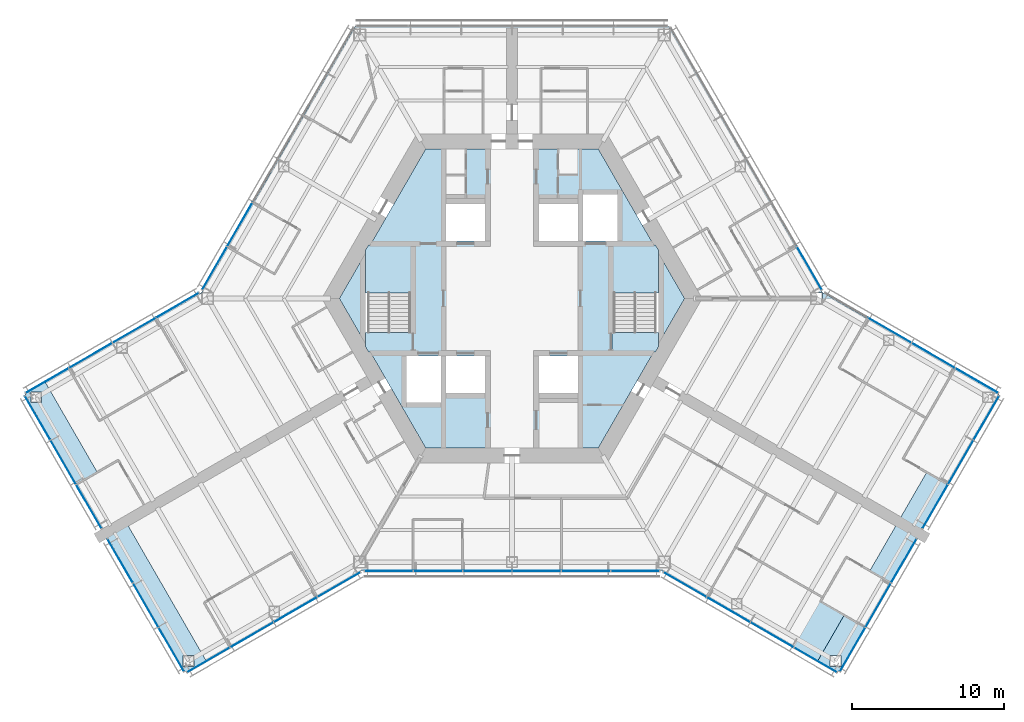
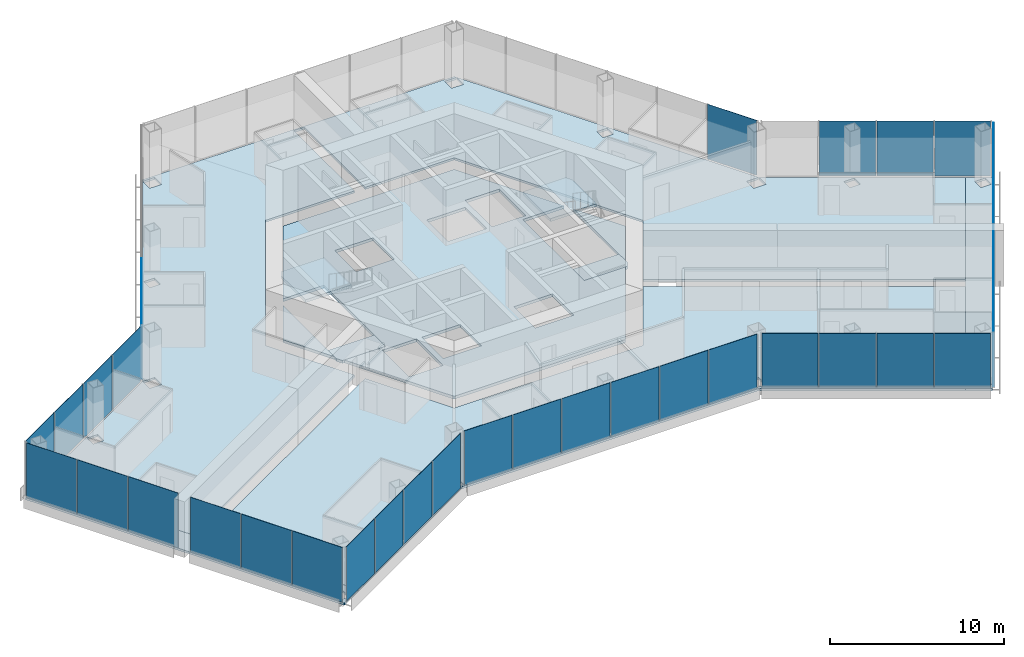
# One storey, part 10 of 18: 36 plates, 11 slabs, 13 elements without a shape of their own.
"""IFC4 building model written with IfcOpenShell, lengths in metres."""

from ifc_helpers import new_model, si_unit, direction, frame, origin, origin_2d, place, context, subcontext, project, spatial, polyline, rectangle, outline, extrude, material, layer, layer_set, type_object, element, aggregate, save


model = new_model("IFC4")

# Units and contexts
model_context = context("Model", 3, precision=1e-05, world=origin(), true_north=direction((0.0, 1.0)))
body_context = subcontext(model_context, "Body", "Model", "MODEL_VIEW")
ifc_project = project(units=[si_unit("LENGTHUNIT", "METRE"), si_unit("AREAUNIT", "SQUARE_METRE"), si_unit("VOLUMEUNIT", "CUBIC_METRE"), si_unit("PLANEANGLEUNIT", "RADIAN"), si_unit("MASSUNIT", "GRAM", prefix="KILO")], contexts=[model_context])

# Site, building, storey
site_placement = place(None, origin())
site = spatial("IfcSite", under=ifc_project, at=site_placement, CompositionType="ELEMENT")
building_placement = place(site_placement, origin())
building = spatial("IfcBuilding", under=site, at=building_placement, Name="Kasaneha Research Tower", CompositionType="ELEMENT")
storey_placement = place(building_placement, frame((0.0, 0.0, 176.0)))
storey = spatial("IfcBuildingStorey", under=building, at=storey_placement, Name="L44", CompositionType="ELEMENT", Elevation=176.0)

# Curtain wall, plates
ifc_material_1 = material(Name="Glass and aluminium", Category="aluminium")
curtain_wall_type = type_object("IfcCurtainWallType", Name="Mid-rise office curtain wall", PredefinedType="USERDEFINED", material=ifc_material_1)
curtain_wall_1_placement = place(storey_placement, origin())
curtain_wall_1 = element("IfcCurtainWall", 1, at=curtain_wall_1_placement, inside=storey, type_object=curtain_wall_type, Name="CW-O2 L44 run 01a", ObjectType="UNITISED CURTAIN WALL", PredefinedType="USERDEFINED")
ifc_material_2 = material(Name="Laminated double glazing", Category="glass")
ifc_layer_1 = layer(ifc_material_2, 0.02587890625)
ifc_layer_set_1 = layer_set([ifc_layer_1], Name="CW-O2 glazed panel")
plate_type = type_object("IfcPlateType", Name="CW-O2 glazed panel", PredefinedType="CURTAIN_PANEL", material=ifc_layer_set_1)
plate_1_placement = place(storey_placement, frame((-8.10107421875, -17.92041015625, 0.06005859375), z_axis=(0.0, 0.0, 1.0), x_axis=(1.0, 0.0, 0.0)))
plate_1 = element("IfcPlate", 2, at=plate_1_placement, type_object=plate_type, Name="CW-O2 panel 1", PredefinedType="CURTAIN_PANEL", context=body_context, shape_type="SweptSolid", body=[
    extrude(rectangle(XDim=3.156494140625, YDim=0.02587890625, at=origin_2d()), origin(), (0.0, 0.0, 1.0), 3.840087890625),
])
plate_2_placement = place(storey_placement, frame((-4.86962890625, -17.92041015625, 0.06005859375), z_axis=(0.0, 0.0, 1.0), x_axis=(1.0, 0.0, 0.0)))
plate_2 = element("IfcPlate", 3, at=plate_2_placement, type_object=plate_type, Name="CW-O2 panel 2", PredefinedType="CURTAIN_PANEL", context=body_context, shape_type="SweptSolid", body=[
    extrude(rectangle(XDim=3.1865234375, YDim=0.02587890625, at=origin_2d()), origin(), (0.0, 0.0, 1.0), 3.840087890625),
])
plate_3_placement = place(storey_placement, frame((-1.623291015625, -17.92041015625, 0.06005859375), z_axis=(0.0, 0.0, 1.0), x_axis=(1.0, 0.0, 0.0)))
plate_3 = element("IfcPlate", 4, at=plate_3_placement, type_object=plate_type, Name="CW-O2 panel 3", PredefinedType="CURTAIN_PANEL", context=body_context, shape_type="SweptSolid", body=[
    extrude(rectangle(XDim=3.1865234375, YDim=0.02587890625, at=origin_2d()), origin(), (0.0, 0.0, 1.0), 3.840087890625),
])
plate_4_placement = place(storey_placement, frame((1.623291015625, -17.92041015625, 0.06005859375), z_axis=(0.0, 0.0, 1.0), x_axis=(1.0, 0.0, 0.0)))
plate_4 = element("IfcPlate", 5, at=plate_4_placement, type_object=plate_type, Name="CW-O2 panel 4", PredefinedType="CURTAIN_PANEL", context=body_context, shape_type="SweptSolid", body=[
    extrude(rectangle(XDim=3.1865234375, YDim=0.02587890625, at=origin_2d()), origin(), (0.0, 0.0, 1.0), 3.840087890625),
])
plate_5_placement = place(storey_placement, frame((4.86962890625, -17.92041015625, 0.06005859375), z_axis=(0.0, 0.0, 1.0), x_axis=(1.0, 0.0, 0.0)))
plate_5 = element("IfcPlate", 6, at=plate_5_placement, type_object=plate_type, Name="CW-O2 panel 5", PredefinedType="CURTAIN_PANEL", context=body_context, shape_type="SweptSolid", body=[
    extrude(rectangle(XDim=3.1865234375, YDim=0.02587890625, at=origin_2d()), origin(), (0.0, 0.0, 1.0), 3.840087890625),
])
plate_6_placement = place(storey_placement, frame((8.10107421875, -17.92041015625, 0.06005859375), z_axis=(0.0, 0.0, 1.0), x_axis=(1.0, 0.0, 0.0)))
plate_6 = element("IfcPlate", 7, at=plate_6_placement, type_object=plate_type, Name="CW-O2 panel 6", PredefinedType="CURTAIN_PANEL", context=body_context, shape_type="SweptSolid", body=[
    extrude(rectangle(XDim=3.156494140625, YDim=0.02587890625, at=origin_2d()), origin(), (0.0, 0.0, 1.0), 3.840087890625),
])
aggregate(curtain_wall_1, [plate_1, plate_2, plate_3, plate_4, plate_5, plate_6])

curtain_wall_2_placement = place(storey_placement, origin())
curtain_wall_2 = element("IfcCurtainWall", 8, at=curtain_wall_2_placement, inside=storey, type_object=curtain_wall_type, Name="CW-O2 L44 run 02a", ObjectType="UNITISED CURTAIN WALL", PredefinedType="USERDEFINED")
plate_7_placement = place(storey_placement, frame((11.3720703125, -18.805419921875, 0.06005859375), z_axis=(0.0, 0.0, 1.0), x_axis=(0.866025411464, -0.499999986699, 0.0)))
plate_7 = element("IfcPlate", 9, at=plate_7_placement, type_object=plate_type, Name="CW-O2 panel 1", PredefinedType="CURTAIN_PANEL", context=body_context, shape_type="SweptSolid", body=[
    extrude(rectangle(XDim=3.2197265625, YDim=0.02587890625, at=origin_2d()), origin(), (0.0, 0.0, 1.0), 3.840087890625),
])
plate_8_placement = place(storey_placement, frame((14.225341796875, -20.452880859375, 0.06005859375), z_axis=(0.0, 0.0, 1.0), x_axis=(0.866025411464, -0.499999986699, 0.0)))
plate_8 = element("IfcPlate", 10, at=plate_8_placement, type_object=plate_type, Name="CW-O2 panel 2", PredefinedType="CURTAIN_PANEL", context=body_context, shape_type="SweptSolid", body=[
    extrude(rectangle(XDim=3.249755859375, YDim=0.02587890625, at=origin_2d()), origin(), (0.0, 0.0, 1.0), 3.840087890625),
])
plate_9_placement = place(storey_placement, frame((17.091796875, -22.107666015625, 0.06005859375), z_axis=(0.0, 0.0, 1.0), x_axis=(0.866025411464, -0.499999986699, 0.0)))
plate_9 = element("IfcPlate", 11, at=plate_9_placement, type_object=plate_type, Name="CW-O2 panel 3", PredefinedType="CURTAIN_PANEL", context=body_context, shape_type="SweptSolid", body=[
    extrude(rectangle(XDim=3.249755859375, YDim=0.02587890625, at=origin_2d()), origin(), (0.0, 0.0, 1.0), 3.840087890625),
])
plate_10_placement = place(storey_placement, frame((19.945068359375, -23.755126953125, 0.06005859375), z_axis=(0.0, 0.0, 1.0), x_axis=(0.866025411464, -0.499999986699, 0.0)))
plate_10 = element("IfcPlate", 12, at=plate_10_placement, type_object=plate_type, Name="CW-O2 panel 4", PredefinedType="CURTAIN_PANEL", context=body_context, shape_type="SweptSolid", body=[
    extrude(rectangle(XDim=3.2197265625, YDim=0.02587890625, at=origin_2d()), origin(), (0.0, 0.0, 1.0), 3.840087890625),
])
aggregate(curtain_wall_2, [plate_7, plate_8, plate_9, plate_10])

curtain_wall_3_placement = place(storey_placement, origin())
curtain_wall_3 = element("IfcCurtainWall", 13, at=curtain_wall_3_placement, inside=storey, type_object=curtain_wall_type, Name="CW-O2 L44 run 03a", ObjectType="UNITISED CURTAIN WALL", PredefinedType="USERDEFINED")
plate_11_placement = place(storey_placement, frame((22.38134765625, -23.075439453125, 0.06005859375), z_axis=(0.0, 0.0, 1.0), x_axis=(0.500000011442, 0.866025397178, 0.0)))
plate_11 = element("IfcPlate", 14, at=plate_11_placement, type_object=plate_type, Name="CW-O2 panel 1", PredefinedType="CURTAIN_PANEL", context=body_context, shape_type="SweptSolid", body=[
    extrude(rectangle(XDim=3.293212890625, YDim=0.02587890625, at=origin_2d()), origin(), (0.0, 0.0, 1.0), 3.840087890625),
])
plate_12_placement = place(storey_placement, frame((24.0654296875, -20.158447265625, 0.06005859375), z_axis=(0.0, 0.0, 1.0), x_axis=(0.500000011442, 0.866025397178, 0.0)))
plate_12 = element("IfcPlate", 15, at=plate_12_placement, type_object=plate_type, Name="CW-O2 panel 2", PredefinedType="CURTAIN_PANEL", context=body_context, shape_type="SweptSolid", body=[
    extrude(rectangle(XDim=3.3232421875, YDim=0.02587890625, at=origin_2d()), origin(), (0.0, 0.0, 1.0), 3.840087890625),
])
plate_13_placement = place(storey_placement, frame((25.74951171875, -17.241455078125, 0.06005859375), z_axis=(0.0, 0.0, 1.0), x_axis=(0.500000011442, 0.866025397178, 0.0)))
plate_13 = element("IfcPlate", 16, at=plate_13_placement, type_object=plate_type, Name="CW-O2 panel 3", PredefinedType="CURTAIN_PANEL", context=body_context, shape_type="SweptSolid", body=[
    extrude(rectangle(XDim=3.293212890625, YDim=0.02587890625, at=origin_2d()), origin(), (0.0, 0.0, 1.0), 3.840087890625),
])
aggregate(curtain_wall_3, [plate_11, plate_12, plate_13])

curtain_wall_4_placement = place(storey_placement, origin())
curtain_wall_4 = element("IfcCurtainWall", 17, at=curtain_wall_4_placement, inside=storey, type_object=curtain_wall_type, Name="CW-O2 L44 run 04a", ObjectType="UNITISED CURTAIN WALL", PredefinedType="USERDEFINED")
plate_14_placement = place(storey_placement, frame((27.806396484375, -13.67919921875, 0.06005859375), z_axis=(0.0, 0.0, 1.0), x_axis=(0.500000011442, 0.866025397178, 0.0)))
plate_14 = element("IfcPlate", 18, at=plate_14_placement, type_object=plate_type, Name="CW-O2 panel 1", PredefinedType="CURTAIN_PANEL", context=body_context, shape_type="SweptSolid", body=[
    extrude(rectangle(XDim=3.293212890625, YDim=0.02587890625, at=origin_2d()), origin(), (0.0, 0.0, 1.0), 3.840087890625),
])
plate_15_placement = place(storey_placement, frame((29.490478515625, -10.761962890625, 0.06005859375), z_axis=(0.0, 0.0, 1.0), x_axis=(0.500000011442, 0.866025397178, 0.0)))
plate_15 = element("IfcPlate", 19, at=plate_15_placement, type_object=plate_type, Name="CW-O2 panel 2", PredefinedType="CURTAIN_PANEL", context=body_context, shape_type="SweptSolid", body=[
    extrude(rectangle(XDim=3.3232421875, YDim=0.02587890625, at=origin_2d()), origin(), (0.0, 0.0, 1.0), 3.840087890625),
])
plate_16_placement = place(storey_placement, frame((31.174560546875, -7.844970703125, 0.06005859375), z_axis=(0.0, 0.0, 1.0), x_axis=(0.500000011442, 0.866025397178, 0.0)))
plate_16 = element("IfcPlate", 20, at=plate_16_placement, type_object=plate_type, Name="CW-O2 panel 3", PredefinedType="CURTAIN_PANEL", context=body_context, shape_type="SweptSolid", body=[
    extrude(rectangle(XDim=3.293212890625, YDim=0.02587890625, at=origin_2d()), origin(), (0.0, 0.0, 1.0), 3.840087890625),
])
aggregate(curtain_wall_4, [plate_14, plate_15, plate_16])

curtain_wall_5_placement = place(storey_placement, origin())
curtain_wall_5 = element("IfcCurtainWall", 21, at=curtain_wall_5_placement, inside=storey, type_object=curtain_wall_type, Name="CW-O2 L44 run 05a", ObjectType="UNITISED CURTAIN WALL", PredefinedType="USERDEFINED")
plate_17_placement = place(storey_placement, frame((30.545166015625, -5.3955078125, 0.06005859375), z_axis=(0.0, 0.0, 1.0), x_axis=(-0.866025411464, 0.499999986699, 0.0)))
plate_17 = element("IfcPlate", 22, at=plate_17_placement, type_object=plate_type, Name="CW-O2 panel 1", PredefinedType="CURTAIN_PANEL", context=body_context, shape_type="SweptSolid", body=[
    extrude(rectangle(XDim=3.2197265625, YDim=0.02587890625, at=origin_2d()), origin(), (0.0, 0.0, 1.0), 3.840087890625),
])
plate_18_placement = place(storey_placement, frame((27.69189453125, -3.748046875, 0.06005859375), z_axis=(0.0, 0.0, 1.0), x_axis=(-0.866025411464, 0.499999986699, 0.0)))
plate_18 = element("IfcPlate", 23, at=plate_18_placement, type_object=plate_type, Name="CW-O2 panel 2", PredefinedType="CURTAIN_PANEL", context=body_context, shape_type="SweptSolid", body=[
    extrude(rectangle(XDim=3.249755859375, YDim=0.02587890625, at=origin_2d()), origin(), (0.0, 0.0, 1.0), 3.840087890625),
])
plate_19_placement = place(storey_placement, frame((24.825439453125, -2.093017578125, 0.06005859375), z_axis=(0.0, 0.0, 1.0), x_axis=(-0.866025411464, 0.499999986699, 0.0)))
plate_19 = element("IfcPlate", 24, at=plate_19_placement, type_object=plate_type, Name="CW-O2 panel 3", PredefinedType="CURTAIN_PANEL", context=body_context, shape_type="SweptSolid", body=[
    extrude(rectangle(XDim=3.249755859375, YDim=0.02587890625, at=origin_2d()), origin(), (0.0, 0.0, 1.0), 3.840087890625),
])
aggregate(curtain_wall_5, [plate_17, plate_18, plate_19])

# Curtain wall, plate
curtain_wall_6_placement = place(storey_placement, origin())
curtain_wall_6 = element("IfcCurtainWall", 25, at=curtain_wall_6_placement, inside=storey, type_object=curtain_wall_type, Name="CW-O2 L44 run 06a", ObjectType="UNITISED CURTAIN WALL", PredefinedType="USERDEFINED")
plate_20_placement = place(storey_placement, frame((19.549072265625, 1.981201171875, 0.06005859375), z_axis=(0.0, 0.0, 1.0), x_axis=(-0.499999979232, 0.866025415775, 0.0)))
plate_20 = element("IfcPlate", 26, at=plate_20_placement, type_object=plate_type, Name="CW-O2 panel 1", PredefinedType="CURTAIN_PANEL", context=body_context, shape_type="SweptSolid", body=[
    extrude(rectangle(XDim=3.240966796875, YDim=0.02587890625, at=origin_2d()), origin(), (0.0, 0.0, 1.0), 3.840087890625),
])
aggregate(curtain_wall_6, [plate_20])

# Curtain wall, plates
curtain_wall_7_placement = place(storey_placement, origin())
curtain_wall_7 = element("IfcCurtainWall", 27, at=curtain_wall_7_placement, inside=storey, type_object=curtain_wall_type, Name="CW-O2 L44 run 08a", ObjectType="UNITISED CURTAIN WALL", PredefinedType="USERDEFINED")
plate_21_placement = place(storey_placement, frame((-17.89111328125, 4.852783203125, 0.06005859375), z_axis=(0.0, 0.0, 1.0), x_axis=(-0.499999979232, -0.866025415775, 0.0)))
plate_21 = element("IfcPlate", 28, at=plate_21_placement, type_object=plate_type, Name="CW-O2 panel 5", PredefinedType="CURTAIN_PANEL", context=body_context, shape_type="SweptSolid", body=[
    extrude(rectangle(XDim=3.27099609375, YDim=0.02587890625, at=origin_2d()), origin(), (0.0, 0.0, 1.0), 3.840087890625),
])
plate_22_placement = place(storey_placement, frame((-19.549072265625, 1.981201171875, 0.06005859375), z_axis=(0.0, 0.0, 1.0), x_axis=(-0.499999979232, -0.866025415775, 0.0)))
plate_22 = element("IfcPlate", 29, at=plate_22_placement, type_object=plate_type, Name="CW-O2 panel 6", PredefinedType="CURTAIN_PANEL", context=body_context, shape_type="SweptSolid", body=[
    extrude(rectangle(XDim=3.240966796875, YDim=0.02587890625, at=origin_2d()), origin(), (0.0, 0.0, 1.0), 3.840087890625),
])
aggregate(curtain_wall_7, [plate_21, plate_22])

curtain_wall_8_placement = place(storey_placement, origin())
curtain_wall_8 = element("IfcCurtainWall", 30, at=curtain_wall_8_placement, inside=storey, type_object=curtain_wall_type, Name="CW-O2 L44 run 09a", ObjectType="UNITISED CURTAIN WALL", PredefinedType="USERDEFINED")
plate_23_placement = place(storey_placement, frame((-21.971923828125, -0.44580078125, 0.06005859375), z_axis=(0.0, 0.0, 1.0), x_axis=(-0.866025411464, -0.499999986699, 0.0)))
plate_23 = element("IfcPlate", 31, at=plate_23_placement, type_object=plate_type, Name="CW-O2 panel 1", PredefinedType="CURTAIN_PANEL", context=body_context, shape_type="SweptSolid", body=[
    extrude(rectangle(XDim=3.2197265625, YDim=0.02587890625, at=origin_2d()), origin(), (0.0, 0.0, 1.0), 3.840087890625),
])
plate_24_placement = place(storey_placement, frame((-24.825439453125, -2.093017578125, 0.06005859375), z_axis=(0.0, 0.0, 1.0), x_axis=(-0.866025411464, -0.499999986699, 0.0)))
plate_24 = element("IfcPlate", 32, at=plate_24_placement, type_object=plate_type, Name="CW-O2 panel 2", PredefinedType="CURTAIN_PANEL", context=body_context, shape_type="SweptSolid", body=[
    extrude(rectangle(XDim=3.249755859375, YDim=0.02587890625, at=origin_2d()), origin(), (0.0, 0.0, 1.0), 3.840087890625),
])
plate_25_placement = place(storey_placement, frame((-27.69189453125, -3.748046875, 0.06005859375), z_axis=(0.0, 0.0, 1.0), x_axis=(-0.866025411464, -0.499999986699, 0.0)))
plate_25 = element("IfcPlate", 33, at=plate_25_placement, type_object=plate_type, Name="CW-O2 panel 3", PredefinedType="CURTAIN_PANEL", context=body_context, shape_type="SweptSolid", body=[
    extrude(rectangle(XDim=3.249755859375, YDim=0.02587890625, at=origin_2d()), origin(), (0.0, 0.0, 1.0), 3.840087890625),
])
plate_26_placement = place(storey_placement, frame((-30.545166015625, -5.3955078125, 0.06005859375), z_axis=(0.0, 0.0, 1.0), x_axis=(-0.866025411464, -0.499999986699, 0.0)))
plate_26 = element("IfcPlate", 34, at=plate_26_placement, type_object=plate_type, Name="CW-O2 panel 4", PredefinedType="CURTAIN_PANEL", context=body_context, shape_type="SweptSolid", body=[
    extrude(rectangle(XDim=3.2197265625, YDim=0.02587890625, at=origin_2d()), origin(), (0.0, 0.0, 1.0), 3.840087890625),
])
aggregate(curtain_wall_8, [plate_23, plate_24, plate_25, plate_26])

curtain_wall_9_placement = place(storey_placement, origin())
curtain_wall_9 = element("IfcCurtainWall", 35, at=curtain_wall_9_placement, inside=storey, type_object=curtain_wall_type, Name="CW-O2 L44 run 10a", ObjectType="UNITISED CURTAIN WALL", PredefinedType="USERDEFINED")
plate_27_placement = place(storey_placement, frame((-31.174560546875, -7.844970703125, 0.06005859375), z_axis=(0.0, 0.0, 1.0), x_axis=(0.500000011442, -0.866025397178, 0.0)))
plate_27 = element("IfcPlate", 36, at=plate_27_placement, type_object=plate_type, Name="CW-O2 panel 1", PredefinedType="CURTAIN_PANEL", context=body_context, shape_type="SweptSolid", body=[
    extrude(rectangle(XDim=3.293212890625, YDim=0.02587890625, at=origin_2d()), origin(), (0.0, 0.0, 1.0), 3.840087890625),
])
plate_28_placement = place(storey_placement, frame((-29.490478515625, -10.761962890625, 0.06005859375), z_axis=(0.0, 0.0, 1.0), x_axis=(0.500000011442, -0.866025397178, 0.0)))
plate_28 = element("IfcPlate", 37, at=plate_28_placement, type_object=plate_type, Name="CW-O2 panel 2", PredefinedType="CURTAIN_PANEL", context=body_context, shape_type="SweptSolid", body=[
    extrude(rectangle(XDim=3.3232421875, YDim=0.02587890625, at=origin_2d()), origin(), (0.0, 0.0, 1.0), 3.840087890625),
])
plate_29_placement = place(storey_placement, frame((-27.806396484375, -13.67919921875, 0.06005859375), z_axis=(0.0, 0.0, 1.0), x_axis=(0.500000011442, -0.866025397178, 0.0)))
plate_29 = element("IfcPlate", 38, at=plate_29_placement, type_object=plate_type, Name="CW-O2 panel 3", PredefinedType="CURTAIN_PANEL", context=body_context, shape_type="SweptSolid", body=[
    extrude(rectangle(XDim=3.293212890625, YDim=0.02587890625, at=origin_2d()), origin(), (0.0, 0.0, 1.0), 3.840087890625),
])
aggregate(curtain_wall_9, [plate_27, plate_28, plate_29])

curtain_wall_10_placement = place(storey_placement, origin())
curtain_wall_10 = element("IfcCurtainWall", 39, at=curtain_wall_10_placement, inside=storey, type_object=curtain_wall_type, Name="CW-O2 L44 run 11a", ObjectType="UNITISED CURTAIN WALL", PredefinedType="USERDEFINED")
plate_30_placement = place(storey_placement, frame((-25.74951171875, -17.241455078125, 0.06005859375), z_axis=(0.0, 0.0, 1.0), x_axis=(0.500000011442, -0.866025397178, 0.0)))
plate_30 = element("IfcPlate", 40, at=plate_30_placement, type_object=plate_type, Name="CW-O2 panel 1", PredefinedType="CURTAIN_PANEL", context=body_context, shape_type="SweptSolid", body=[
    extrude(rectangle(XDim=3.293212890625, YDim=0.02587890625, at=origin_2d()), origin(), (0.0, 0.0, 1.0), 3.840087890625),
])
plate_31_placement = place(storey_placement, frame((-24.0654296875, -20.158447265625, 0.06005859375), z_axis=(0.0, 0.0, 1.0), x_axis=(0.500000011442, -0.866025397178, 0.0)))
plate_31 = element("IfcPlate", 41, at=plate_31_placement, type_object=plate_type, Name="CW-O2 panel 2", PredefinedType="CURTAIN_PANEL", context=body_context, shape_type="SweptSolid", body=[
    extrude(rectangle(XDim=3.3232421875, YDim=0.02587890625, at=origin_2d()), origin(), (0.0, 0.0, 1.0), 3.840087890625),
])
plate_32_placement = place(storey_placement, frame((-22.38134765625, -23.075439453125, 0.06005859375), z_axis=(0.0, 0.0, 1.0), x_axis=(0.500000011442, -0.866025397178, 0.0)))
plate_32 = element("IfcPlate", 42, at=plate_32_placement, type_object=plate_type, Name="CW-O2 panel 3", PredefinedType="CURTAIN_PANEL", context=body_context, shape_type="SweptSolid", body=[
    extrude(rectangle(XDim=3.293212890625, YDim=0.02587890625, at=origin_2d()), origin(), (0.0, 0.0, 1.0), 3.840087890625),
])
aggregate(curtain_wall_10, [plate_30, plate_31, plate_32])

curtain_wall_11_placement = place(storey_placement, origin())
curtain_wall_11 = element("IfcCurtainWall", 43, at=curtain_wall_11_placement, inside=storey, type_object=curtain_wall_type, Name="CW-O2 L44 run 12a", ObjectType="UNITISED CURTAIN WALL", PredefinedType="USERDEFINED")
plate_33_placement = place(storey_placement, frame((-19.945068359375, -23.755126953125, 0.06005859375), z_axis=(0.0, 0.0, 1.0), x_axis=(0.866025411464, 0.499999986699, 0.0)))
plate_33 = element("IfcPlate", 44, at=plate_33_placement, type_object=plate_type, Name="CW-O2 panel 1", PredefinedType="CURTAIN_PANEL", context=body_context, shape_type="SweptSolid", body=[
    extrude(rectangle(XDim=3.2197265625, YDim=0.02587890625, at=origin_2d()), origin(), (0.0, 0.0, 1.0), 3.840087890625),
])
plate_34_placement = place(storey_placement, frame((-17.091796875, -22.107666015625, 0.06005859375), z_axis=(0.0, 0.0, 1.0), x_axis=(0.866025411464, 0.499999986699, 0.0)))
plate_34 = element("IfcPlate", 45, at=plate_34_placement, type_object=plate_type, Name="CW-O2 panel 2", PredefinedType="CURTAIN_PANEL", context=body_context, shape_type="SweptSolid", body=[
    extrude(rectangle(XDim=3.249755859375, YDim=0.02587890625, at=origin_2d()), origin(), (0.0, 0.0, 1.0), 3.840087890625),
])
plate_35_placement = place(storey_placement, frame((-14.225341796875, -20.452880859375, 0.06005859375), z_axis=(0.0, 0.0, 1.0), x_axis=(0.866025411464, 0.499999986699, 0.0)))
plate_35 = element("IfcPlate", 46, at=plate_35_placement, type_object=plate_type, Name="CW-O2 panel 3", PredefinedType="CURTAIN_PANEL", context=body_context, shape_type="SweptSolid", body=[
    extrude(rectangle(XDim=3.249755859375, YDim=0.02587890625, at=origin_2d()), origin(), (0.0, 0.0, 1.0), 3.840087890625),
])
plate_36_placement = place(storey_placement, frame((-11.3720703125, -18.805419921875, 0.06005859375), z_axis=(0.0, 0.0, 1.0), x_axis=(0.866025411464, 0.499999986699, 0.0)))
plate_36 = element("IfcPlate", 47, at=plate_36_placement, type_object=plate_type, Name="CW-O2 panel 4", PredefinedType="CURTAIN_PANEL", context=body_context, shape_type="SweptSolid", body=[
    extrude(rectangle(XDim=3.2197265625, YDim=0.02587890625, at=origin_2d()), origin(), (0.0, 0.0, 1.0), 3.840087890625),
])
aggregate(curtain_wall_11, [plate_33, plate_34, plate_35, plate_36])

# Slabs
ifc_material_3 = material(Name="Concrete Fc24", Category="concrete")
ifc_layer_2 = layer(ifc_material_3, 0.199951171875)
ifc_layer_set_2 = layer_set([ifc_layer_2], Name="Core floor slab 200")
slab_type_1 = type_object("IfcSlabType", Name="Core floor slab 200", PredefinedType="FLOOR", material=ifc_layer_set_2)
slab_1_placement = place(storey_placement, frame((0.0, 0.0, -0.199951171875)))
element("IfcSlab", 48, at=slab_1_placement, inside=storey, type_object=slab_type_1, Name="Core slab L44", PredefinedType="FLOOR", context=body_context, shape_type="SweptSolid", body=[
    extrude(outline(polyline([(-11.344970703125, 0.0), (-9.625, 2.97900390625), (-9.625, -2.97900390625), (-11.344970703125, 0.0)])), origin(), (0.0, 0.0, 1.0), 0.199951171875),
])
slab_2_placement = place(storey_placement, frame((0.0, 0.0, -0.199951171875)))
element("IfcSlab", 49, at=slab_2_placement, inside=storey, type_object=slab_type_1, Name="Core slab L44", PredefinedType="FLOOR", context=body_context, shape_type="SweptSolid", body=[
    extrude(outline(polyline([(-5.67236328125, 9.824951171875), (5.67236328125, 9.824951171875), (9.309814453125, 3.52490234375), (6.574951171875, 3.52490234375), (6.574951171875, -3.52490234375), (9.309814453125, -3.52490234375), (5.67236328125, -9.824951171875), (-5.67236328125, -9.824951171875), (-9.309814453125, -3.52490234375), (-6.574951171875, -3.52490234375), (-6.574951171875, 3.52490234375), (-9.309814453125, 3.52490234375), (-5.67236328125, 9.824951171875)]), holes=[polyline([(-6.925048828125, -3.77490234375), (-6.925048828125, -6.824951171875), (-4.675048828125, -6.824951171875), (-4.675048828125, -3.77490234375), (-6.925048828125, -3.77490234375)]), polyline([(-4.324951171875, -3.77490234375), (-4.324951171875, -6.22509765625), (-1.77490234375, -6.22509765625), (-1.77490234375, -3.77490234375), (-4.324951171875, -3.77490234375)]), polyline([(1.77490234375, -3.77490234375), (1.77490234375, -6.22509765625), (4.324951171875, -6.22509765625), (4.324951171875, -3.77490234375), (1.77490234375, -3.77490234375)]), polyline([(-4.324951171875, 6.22509765625), (-4.324951171875, 3.77490234375), (-1.77490234375, 3.77490234375), (-1.77490234375, 6.22509765625), (-4.324951171875, 6.22509765625)]), polyline([(1.77490234375, 6.22509765625), (1.77490234375, 3.77490234375), (4.324951171875, 3.77490234375), (4.324951171875, 6.22509765625), (1.77490234375, 6.22509765625)]), polyline([(4.675048828125, 6.824951171875), (4.675048828125, 3.77490234375), (6.925048828125, 3.77490234375), (6.925048828125, 6.824951171875), (4.675048828125, 6.824951171875)])]), origin(), (0.0, 0.0, 1.0), 0.199951171875),
])
slab_3_placement = place(storey_placement, frame((0.0, 0.0, -0.199951171875)))
element("IfcSlab", 50, at=slab_3_placement, inside=storey, type_object=slab_type_1, Name="Core slab L44", PredefinedType="FLOOR", context=body_context, shape_type="SweptSolid", body=[
    extrude(outline(polyline([(11.344970703125, 0.0), (9.625, -2.97900390625), (9.625, 2.97900390625), (11.344970703125, 0.0)])), origin(), (0.0, 0.0, 1.0), 0.199951171875),
])
ifc_material_4 = material(Name="Concrete Fc24", Category="concrete")
ifc_layer_3 = layer(ifc_material_4, 0.14990234375)
ifc_layer_set_3 = layer_set([ifc_layer_3], Name="Floor slab 150")
slab_type_2 = type_object("IfcSlabType", Name="Floor slab 150", PredefinedType="FLOOR", material=ifc_layer_set_3)
slab_4_placement = place(storey_placement, frame((0.0, 0.0, -0.14990234375)))
element("IfcSlab", 51, at=slab_4_placement, inside=storey, type_object=slab_type_2, Name="Floor slab L44 1", PredefinedType="FLOOR", context=body_context, shape_type="SweptSolid", body=[
    extrude(outline(polyline([(-32.009521484375, -6.298583984375), (-30.65869140625, -5.518798828125), (-25.55859375, -14.35205078125), (-25.5673828125, -14.357177734375), (-25.21728515625, -14.96337890625), (-25.208740234375, -14.958251953125), (-20.108642578125, -23.791748046875), (-21.459716796875, -24.57177734375), (-32.009521484375, -6.298583984375)]), holes=[polyline([(-20.908447265625, -24.17041015625), (-20.908447265625, -23.470458984375), (-21.6083984375, -23.470458984375), (-21.6083984375, -24.17041015625), (-20.908447265625, -24.17041015625)]), polyline([(-30.908447265625, -6.85009765625), (-30.908447265625, -6.14990234375), (-31.6083984375, -6.14990234375), (-31.6083984375, -6.85009765625), (-30.908447265625, -6.85009765625)])]), origin(), (0.0, 0.0, 1.0), 0.14990234375),
])
slab_5_placement = place(storey_placement, frame((0.0, 0.0, -0.14990234375)))
element("IfcSlab", 52, at=slab_5_placement, inside=storey, type_object=slab_type_2, Name="Floor slab L44 2", PredefinedType="FLOOR", context=body_context, shape_type="SweptSolid", body=[
    extrude(outline(polyline([(9.8525390625, -17.87060546875), (-9.8525390625, -17.87060546875), (-20.108642578125, -23.791748046875), (-25.208740234375, -14.958251953125), (-9.19970703125, -5.715576171875), (-6.249755859375, -10.824951171875), (6.249755859375, -10.824951171875), (9.19970703125, -5.715576171875), (25.208740234375, -14.958251953125), (20.108642578125, -23.791748046875), (9.8525390625, -17.87060546875)]), holes=[polyline([(-15.279052734375, -20.92041015625), (-15.279052734375, -20.220458984375), (-15.979248046875, -20.220458984375), (-15.979248046875, -20.92041015625), (-15.279052734375, -20.92041015625)]), polyline([(0.35009765625, -17.67041015625), (0.35009765625, -16.970458984375), (-0.35009765625, -16.970458984375), (-0.35009765625, -17.67041015625), (0.35009765625, -17.67041015625)]), polyline([(-10.39990234375, -17.720458984375), (-9.60009765625, -17.720458984375), (-9.60009765625, -16.92041015625), (-10.39990234375, -16.92041015625), (-10.39990234375, -17.720458984375)]), polyline([(15.113037109375, -20.42041015625), (15.113037109375, -19.720458984375), (14.4130859375, -19.720458984375), (14.4130859375, -20.42041015625), (15.113037109375, -20.42041015625)]), polyline([(9.60009765625, -17.720458984375), (10.39990234375, -17.720458984375), (10.39990234375, -16.92041015625), (9.60009765625, -16.92041015625), (9.60009765625, -17.720458984375)])]), origin(), (0.0, 0.0, 1.0), 0.14990234375),
])
slab_6_placement = place(storey_placement, frame((0.0, 0.0, -0.14990234375)))
element("IfcSlab", 53, at=slab_6_placement, inside=storey, type_object=slab_type_2, Name="Floor slab L44 3", PredefinedType="FLOOR", context=body_context, shape_type="SweptSolid", body=[
    extrude(outline(polyline([(-20.400146484375, -0.400146484375), (-19.599853515625, -0.400146484375), (-19.599853515625, 0.400146484375), (-20.385986328125, 0.400146484375), (-20.3974609375, 0.41162109375), (-10.40771484375, 17.714111328125), (-10.400146484375, 17.70654296875), (-10.400146484375, 16.92041015625), (-9.599853515625, 16.92041015625), (-9.599853515625, 17.720703125), (-10.385986328125, 17.720703125), (-10.3974609375, 17.732177734375), (-10.317626953125, 17.87060546875), (10.317626953125, 17.87060546875), (10.3974609375, 17.732177734375), (10.385986328125, 17.720703125), (9.599853515625, 17.720703125), (9.599853515625, 16.92041015625), (10.400146484375, 16.92041015625), (10.400146484375, 17.70654296875), (10.40771484375, 17.714111328125), (20.3974609375, 0.41162109375), (20.385986328125, 0.400146484375), (19.599853515625, 0.400146484375), (19.599853515625, -0.400146484375), (20.400146484375, -0.400146484375), (20.400146484375, 0.385986328125), (20.41162109375, 0.3974609375), (30.65869140625, -5.518798828125), (25.55859375, -14.35205078125), (9.5498046875, -5.109375), (12.49951171875, 0.0), (6.249755859375, 10.824951171875), (0.35009765625, 10.824951171875), (0.35009765625, 17.7705078125), (-0.35009765625, 17.7705078125), (-0.35009765625, 10.824951171875), (-6.249755859375, 10.824951171875), (-12.49951171875, 0.0), (-9.5498046875, -5.109375), (-25.55859375, -14.35205078125), (-30.65869140625, -5.518798828125), (-20.41162109375, 0.3974609375), (-20.400146484375, 0.385986328125), (-20.400146484375, -0.400146484375)]), holes=[polyline([(-25.279052734375, -3.60009765625), (-25.279052734375, -2.89990234375), (-25.979248046875, -2.89990234375), (-25.979248046875, -3.60009765625), (-25.279052734375, -3.60009765625)]), polyline([(-15.35009765625, 8.310302734375), (-14.64990234375, 8.310302734375), (-14.64990234375, 9.01025390625), (-15.35009765625, 9.01025390625), (-15.35009765625, 8.310302734375)]), polyline([(24.4130859375, -3.10009765625), (25.113037109375, -3.10009765625), (25.113037109375, -2.39990234375), (24.4130859375, -2.39990234375), (24.4130859375, -3.10009765625)]), polyline([(14.64990234375, 8.310302734375), (15.35009765625, 8.310302734375), (15.35009765625, 9.01025390625), (14.64990234375, 9.01025390625), (14.64990234375, 8.310302734375)])]), origin(), (0.0, 0.0, 1.0), 0.14990234375),
])
slab_7_placement = place(storey_placement, frame((0.0, 0.0, -0.14990234375)))
element("IfcSlab", 54, at=slab_7_placement, inside=storey, type_object=slab_type_2, Name="Floor slab L44 4", PredefinedType="FLOOR", context=body_context, shape_type="SweptSolid", body=[
    extrude(outline(polyline([(32.009521484375, -6.298583984375), (21.459716796875, -24.57177734375), (20.108642578125, -23.791748046875), (25.208740234375, -14.958251953125), (25.21728515625, -14.96337890625), (25.5673828125, -14.357177734375), (25.55859375, -14.35205078125), (30.65869140625, -5.518798828125), (32.009521484375, -6.298583984375)]), holes=[polyline([(21.6083984375, -24.17041015625), (21.6083984375, -23.470458984375), (20.908447265625, -23.470458984375), (20.908447265625, -24.17041015625), (21.6083984375, -24.17041015625)]), polyline([(31.6083984375, -6.85009765625), (31.6083984375, -6.14990234375), (30.908447265625, -6.14990234375), (30.908447265625, -6.85009765625), (31.6083984375, -6.85009765625)])]), origin(), (0.0, 0.0, 1.0), 0.14990234375),
])

# Stair, slabs
ifc_material_5 = material(Name="Concrete Fc24", Category="concrete")
stair_type = type_object("IfcStairType", Name="Half-turn stair 22 risers", PredefinedType="HALF_TURN_STAIR", material=ifc_material_5)
stair_1_placement = place(storey_placement, origin())
stair_1 = element("IfcStair", 55, at=stair_1_placement, inside=storey, type_object=stair_type, Name="Stair 1 L44", PredefinedType="HALF_TURN_STAIR")
ifc_material_6 = material(Name="Concrete Fc24", Category="concrete")
ifc_layer_4 = layer(ifc_material_6, 0.199951171875)
ifc_layer_set_4 = layer_set([ifc_layer_4], Name="Stair 1 landing 200")
slab_type_3 = type_object("IfcSlabType", Name="Stair 1 landing 200", PredefinedType="LANDING", material=ifc_layer_set_4)
slab_8_placement = place(storey_placement, frame((0.0, 0.0, -0.199951171875)))
slab_8 = element("IfcSlab", 56, at=slab_8_placement, type_object=slab_type_3, Name="ST1-22R landing 1", PredefinedType="LANDING", context=body_context, shape_type="SweptSolid", body=[
    extrude(outline(polyline([(9.42529296875, -3.52490234375), (6.574951171875, -3.52490234375), (6.574951171875, -2.22509765625), (9.625, -2.22509765625), (9.625, -3.178955078125), (9.42529296875, -3.52490234375)])), origin(), (0.0, 0.0, 1.0), 0.199951171875),
])
slab_9_placement = place(storey_placement, frame((0.0, 0.0, 1.75)))
slab_9 = element("IfcSlab", 57, at=slab_9_placement, type_object=slab_type_3, Name="ST1-22R landing 2", PredefinedType="LANDING", context=body_context, shape_type="SweptSolid", body=[
    extrude(outline(polyline([(6.574951171875, 3.52490234375), (9.42529296875, 3.52490234375), (9.625, 3.178955078125), (9.625, 0.375), (6.574951171875, 0.375), (6.574951171875, 3.52490234375)])), origin(), (0.0, 0.0, 1.0), 0.199951171875),
])
aggregate(stair_1, [slab_8, slab_9])

stair_2_placement = place(storey_placement, origin())
stair_2 = element("IfcStair", 58, at=stair_2_placement, inside=storey, type_object=stair_type, Name="Stair 2 L44", PredefinedType="HALF_TURN_STAIR")
ifc_material_7 = material(Name="Concrete Fc24", Category="concrete")
ifc_layer_5 = layer(ifc_material_7, 0.199951171875)
ifc_layer_set_5 = layer_set([ifc_layer_5], Name="Stair 2 landing 200")
slab_type_4 = type_object("IfcSlabType", Name="Stair 2 landing 200", PredefinedType="LANDING", material=ifc_layer_set_5)
slab_10_placement = place(storey_placement, frame((0.0, 0.0, -0.199951171875)))
slab_10 = element("IfcSlab", 59, at=slab_10_placement, type_object=slab_type_4, Name="ST2-22R landing 1", PredefinedType="LANDING", context=body_context, shape_type="SweptSolid", body=[
    extrude(outline(polyline([(-6.574951171875, -3.52490234375), (-9.42529296875, -3.52490234375), (-9.625, -3.178955078125), (-9.625, -2.22509765625), (-6.574951171875, -2.22509765625), (-6.574951171875, -3.52490234375)])), origin(), (0.0, 0.0, 1.0), 0.199951171875),
])
slab_11_placement = place(storey_placement, frame((0.0, 0.0, 1.75)))
slab_11 = element("IfcSlab", 60, at=slab_11_placement, type_object=slab_type_4, Name="ST2-22R landing 2", PredefinedType="LANDING", context=body_context, shape_type="SweptSolid", body=[
    extrude(outline(polyline([(-6.574951171875, 0.375), (-9.625, 0.375), (-9.625, 3.178955078125), (-9.42529296875, 3.52490234375), (-6.574951171875, 3.52490234375), (-6.574951171875, 0.375)])), origin(), (0.0, 0.0, 1.0), 0.199951171875),
])
aggregate(stair_2, [slab_10, slab_11])

save(model, "model.ifc")
